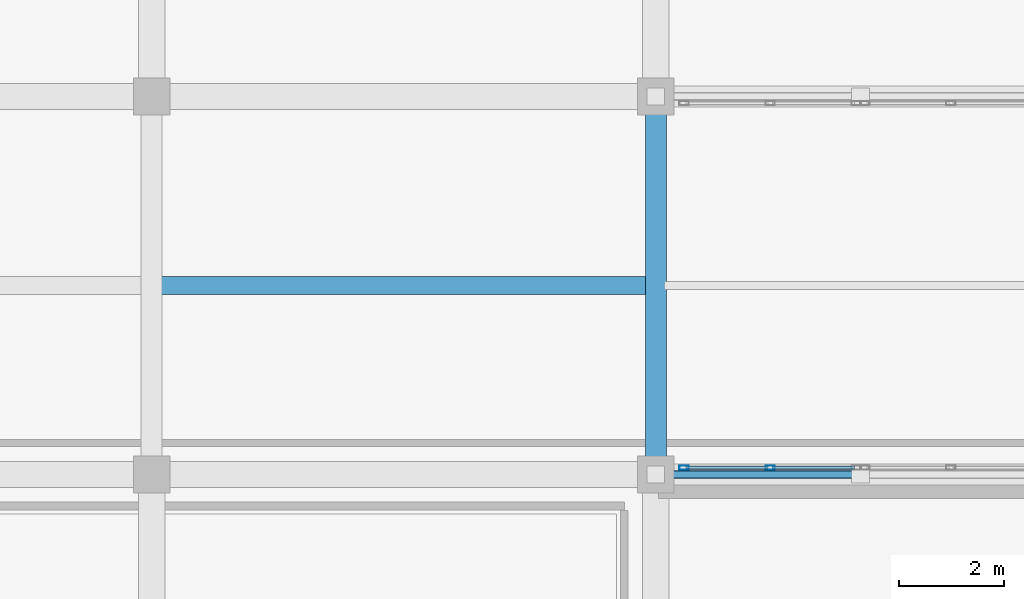
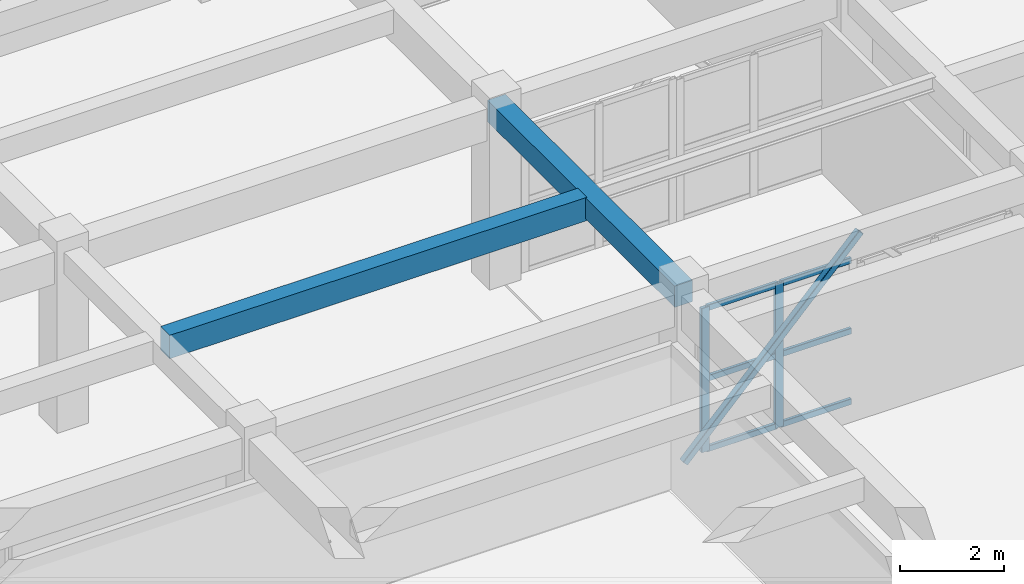
# One storey, part 24 of 92: 9 members, 2 beams, 1 element without a shape of its own.
"""IFC4 building model written with IfcOpenShell, lengths in metres."""

from ifc_helpers import new_model, si_unit, direction, frame, origin, origin_2d, place, context, subcontext, project, spatial, rectangle, hollow_rectangle, extrude, material, layer, layer_set, material_profile, profile_set, type_object, element, aggregate, save


model = new_model("IFC4")

# Units and contexts
model_context = context("Model", 3, precision=1e-05, world=origin(), true_north=direction((0.0, 1.0)))
body_context = subcontext(model_context, "Body", "Model", "MODEL_VIEW")
ifc_project = project(units=[si_unit("LENGTHUNIT", "METRE"), si_unit("AREAUNIT", "SQUARE_METRE"), si_unit("VOLUMEUNIT", "CUBIC_METRE"), si_unit("PLANEANGLEUNIT", "RADIAN"), si_unit("MASSUNIT", "GRAM", prefix="KILO")], contexts=[model_context])

# Site, building, storey
site_placement = place(None, origin())
site = spatial("IfcSite", under=ifc_project, at=site_placement, CompositionType="ELEMENT")
building_placement = place(site_placement, origin())
building = spatial("IfcBuilding", under=site, at=building_placement, Name="Tarnavel Promenade Courthouse", CompositionType="ELEMENT")
storey_placement = place(building_placement, frame((0.0, 0.0, 5.39990234375)))
storey = spatial("IfcBuildingStorey", under=building, at=storey_placement, Name="L02", CompositionType="ELEMENT", Elevation=5.39990234375)

# Beams
ifc_material_1 = material(Name="Concrete C40/50", Category="concrete")
ifc_material_profile_1 = material_profile(ifc_material_1, rectangle(XDim=0.35009765625, YDim=0.550048828125, at=origin_2d()), Name="PT 350x550")
ifc_profile_set_1 = profile_set([ifc_material_profile_1], Name="Concrete C40/50")
beam_type_1 = type_object("IfcBeamType", Name="Concrete C40/50 BM-PT-350x550 (PT 350x550)", PredefinedType="JOIST", material=ifc_profile_set_1)
beam_1_placement = place(storey_placement, frame((28.969970703125, 70.800048828125, 3.920166015625), z_axis=(1.0, 0.0, 0.0), x_axis=(0.0, 1.0, 0.0)))
element("IfcBeam", 1, at=beam_1_placement, inside=storey, type_object=beam_type_1, Name="L02 Secondary Floor Rib 1393", PredefinedType="JOIST", context=body_context, shape_type="SweptSolid", body=[
    extrude(rectangle(XDim=0.35009765625, YDim=0.550048828125, at=origin_2d()), origin(), (0.0, 0.0, 1.0), 9.260009765625),
])
ifc_material_profile_2 = material_profile(ifc_material_1, rectangle(XDim=0.39990234375, YDim=0.5, at=origin_2d()), Name="RC 400x500")
ifc_profile_set_2 = profile_set([ifc_material_profile_2], Name="Concrete C40/50")
beam_type_2 = type_object("IfcBeamType", Name="Concrete C40/50 BM-RC-400x500 (RC 400x500)", PredefinedType="BEAM", material=ifc_profile_set_2)
beam_2_placement = place(storey_placement, frame((38.39990234375, 67.199951171875, 3.945068359375), z_axis=(0.0, 1.0, 0.0), x_axis=(-1.0, 0.0, 0.0)))
element("IfcBeam", 2, at=beam_2_placement, inside=storey, type_object=beam_type_2, Name="L02 Transverse Girder 1265", PredefinedType="BEAM", context=body_context, shape_type="SweptSolid", body=[
    extrude(rectangle(XDim=0.39990234375, YDim=0.5, at=origin_2d()), origin(), (0.0, 0.0, 1.0), 7.199951171875),
])

# Member
ifc_material_2 = material(Name="Steel S355J2", Category="steel")
ifc_material_profile_3 = material_profile(ifc_material_2, hollow_rectangle(XDim=0.14990234375, YDim=0.14990234375, WallThickness=0.010009765625, InnerFilletRadius=0.010009765625, OuterFilletRadius=0.02001953125, at=origin_2d()), Name="SHS 150x150x10")
ifc_profile_set_3 = profile_set([ifc_material_profile_3], Name="Steel S355J2")
member_type_1 = type_object("IfcMemberType", Name="Steel S355J2 MEM-BR-SHS150 (SHS 150x150x10)", PredefinedType="BRACE", material=ifc_profile_set_3)
member_1_placement = place(storey_placement, frame((38.39990234375, 67.199951171875, 0.0), z_axis=(0.692761979704, 0.0, 0.721166305006), x_axis=(0.0, 1.0, 0.0)))
element("IfcMember", 3, at=member_1_placement, inside=storey, type_object=member_type_1, Name="L02 Link Bridge BRW Truss Diagonal 1", PredefinedType="BRACE", context=body_context, shape_type="SweptSolid", body=[
    extrude(hollow_rectangle(XDim=0.14990234375, YDim=0.14990234375, WallThickness=0.010009765625, InnerFilletRadius=0.010009765625, OuterFilletRadius=0.02001953125, at=origin_2d()), origin(), (0.0, 0.0, 1.0), 5.6298828125),
])

# Curtain wall, members
ifc_material_3 = material(Name="Thermally Broken Anodised Aluminium Curtain Wall System", Category="aluminium")
ifc_layer = layer(ifc_material_3, 0.18505859375)
ifc_layer_set = layer_set([ifc_layer], Name="Thermally Broken Anodised Aluminium Curtain Wall System")
curtain_wall_type = type_object("IfcCurtainWallType", Name="Thermally Broken Aluminium Triple-Glazed Curtain Wall CW-BRG", PredefinedType="NOTDEFINED", material=ifc_layer_set)
curtain_wall_placement = place(storey_placement, origin())
curtain_wall = element("IfcCurtainWall", 4, at=curtain_wall_placement, inside=storey, type_object=curtain_wall_type, Name="L02 West Bridge Curtain Wall A 150", PredefinedType="NOTDEFINED")
ifc_material_4 = material(Name="Thermally Broken Anodised Aluminium Frame", Category="aluminium")
ifc_material_profile_4 = material_profile(ifc_material_4, hollow_rectangle(XDim=0.080078125, YDim=0.179931640625, WallThickness=0.0048828125, InnerFilletRadius=0.0048828125, OuterFilletRadius=0.010009765625, at=origin_2d()), Name="CWM 180x80x5")
ifc_profile_set_4 = profile_set([ifc_material_profile_4], Name="Thermally Broken Anodised Aluminium Frame")
member_type_2 = type_object("IfcMemberType", Name="Thermally Broken Anodised Aluminium CWM-155 (CWM 180x80x5)", PredefinedType="MULLION", material=ifc_profile_set_4)
member_2_placement = place(storey_placement, frame((38.93994140625, 67.330078125, 0.0), z_axis=(0.0, 0.0, 1.0), x_axis=(0.0, 1.0, 0.0)))
member_2 = element("IfcMember", 5, at=member_2_placement, type_object=member_type_2, Name="CW-05 mullion 1", PredefinedType="MULLION", context=body_context, shape_type="SweptSolid", body=[
    extrude(hollow_rectangle(XDim=0.080078125, YDim=0.179931640625, WallThickness=0.0048828125, InnerFilletRadius=0.0048828125, OuterFilletRadius=0.010009765625, at=origin_2d()), origin(), (0.0, 0.0, 1.0), 3.380126953125),
])
member_3_placement = place(storey_placement, frame((40.580078125, 67.330078125, 0.0), z_axis=(0.0, 0.0, 1.0), x_axis=(0.0, 1.0, 0.0)))
member_3 = element("IfcMember", 6, at=member_3_placement, type_object=member_type_2, Name="CW-05 mullion 2", PredefinedType="MULLION", context=body_context, shape_type="SweptSolid", body=[
    extrude(hollow_rectangle(XDim=0.080078125, YDim=0.179931640625, WallThickness=0.0048828125, InnerFilletRadius=0.0048828125, OuterFilletRadius=0.010009765625, at=origin_2d()), origin(), (0.0, 0.0, 1.0), 3.380126953125),
])
ifc_material_profile_5 = material_profile(ifc_material_4, hollow_rectangle(XDim=0.070068359375, YDim=0.139892578125, WallThickness=0.0048828125, InnerFilletRadius=0.0048828125, OuterFilletRadius=0.010009765625, at=origin_2d()), Name="CWT 140x70x5")
ifc_profile_set_5 = profile_set([ifc_material_profile_5], Name="Thermally Broken Anodised Aluminium Frame")
member_type_3 = type_object("IfcMemberType", Name="Thermally Broken Anodised Aluminium CWT-125 (CWT 140x70x5)", PredefinedType="USERDEFINED", material=ifc_profile_set_5)
member_4_placement = place(storey_placement, frame((38.97998046875, 67.330078125, 0.03515625), z_axis=(1.0, 0.0, 0.0), x_axis=(0.0, 1.0, 0.0)))
member_4 = element("IfcMember", 7, at=member_4_placement, type_object=member_type_3, Name="CW-05 transom 1.1", ObjectType="TRANSOM", PredefinedType="USERDEFINED", context=body_context, shape_type="SweptSolid", body=[
    extrude(hollow_rectangle(XDim=0.070068359375, YDim=0.139892578125, WallThickness=0.0048828125, InnerFilletRadius=0.0048828125, OuterFilletRadius=0.010009765625, at=origin_2d()), origin(), (0.0, 0.0, 1.0), 1.56005859375),
])
member_5_placement = place(storey_placement, frame((38.97998046875, 67.330078125, 1.690185546875), z_axis=(1.0, 0.0, 0.0), x_axis=(0.0, 1.0, 0.0)))
member_5 = element("IfcMember", 8, at=member_5_placement, type_object=member_type_3, Name="CW-05 transom 1.2", ObjectType="TRANSOM", PredefinedType="USERDEFINED", context=body_context, shape_type="SweptSolid", body=[
    extrude(hollow_rectangle(XDim=0.070068359375, YDim=0.139892578125, WallThickness=0.0048828125, InnerFilletRadius=0.0048828125, OuterFilletRadius=0.010009765625, at=origin_2d()), origin(), (0.0, 0.0, 1.0), 1.56005859375),
])
member_6_placement = place(storey_placement, frame((38.97998046875, 67.330078125, 3.34521484375), z_axis=(1.0, 0.0, 0.0), x_axis=(0.0, 1.0, 0.0)))
member_6 = element("IfcMember", 9, at=member_6_placement, type_object=member_type_3, Name="CW-05 transom 1.3", ObjectType="TRANSOM", PredefinedType="USERDEFINED", context=body_context, shape_type="SweptSolid", body=[
    extrude(hollow_rectangle(XDim=0.070068359375, YDim=0.139892578125, WallThickness=0.0048828125, InnerFilletRadius=0.0048828125, OuterFilletRadius=0.010009765625, at=origin_2d()), origin(), (0.0, 0.0, 1.0), 1.56005859375),
])
member_7_placement = place(storey_placement, frame((40.6201171875, 67.330078125, 0.03515625), z_axis=(1.0, 0.0, 0.0), x_axis=(0.0, 1.0, 0.0)))
member_7 = element("IfcMember", 10, at=member_7_placement, type_object=member_type_3, Name="CW-05 transom 2.1", ObjectType="TRANSOM", PredefinedType="USERDEFINED", context=body_context, shape_type="SweptSolid", body=[
    extrude(hollow_rectangle(XDim=0.070068359375, YDim=0.139892578125, WallThickness=0.0048828125, InnerFilletRadius=0.0048828125, OuterFilletRadius=0.010009765625, at=origin_2d()), origin(), (0.0, 0.0, 1.0), 1.559814453125),
])
member_8_placement = place(storey_placement, frame((40.6201171875, 67.330078125, 1.690185546875), z_axis=(1.0, 0.0, 0.0), x_axis=(0.0, 1.0, 0.0)))
member_8 = element("IfcMember", 11, at=member_8_placement, type_object=member_type_3, Name="CW-05 transom 2.2", ObjectType="TRANSOM", PredefinedType="USERDEFINED", context=body_context, shape_type="SweptSolid", body=[
    extrude(hollow_rectangle(XDim=0.070068359375, YDim=0.139892578125, WallThickness=0.0048828125, InnerFilletRadius=0.0048828125, OuterFilletRadius=0.010009765625, at=origin_2d()), origin(), (0.0, 0.0, 1.0), 1.559814453125),
])
member_9_placement = place(storey_placement, frame((40.6201171875, 67.330078125, 3.34521484375), z_axis=(1.0, 0.0, 0.0), x_axis=(0.0, 1.0, 0.0)))
member_9 = element("IfcMember", 12, at=member_9_placement, type_object=member_type_3, Name="CW-05 transom 2.3", ObjectType="TRANSOM", PredefinedType="USERDEFINED", context=body_context, shape_type="SweptSolid", body=[
    extrude(hollow_rectangle(XDim=0.070068359375, YDim=0.139892578125, WallThickness=0.0048828125, InnerFilletRadius=0.0048828125, OuterFilletRadius=0.010009765625, at=origin_2d()), origin(), (0.0, 0.0, 1.0), 1.559814453125),
])
aggregate(curtain_wall, [member_2, member_3, member_4, member_5, member_6, member_7, member_8, member_9])

save(model, "model.ifc")
